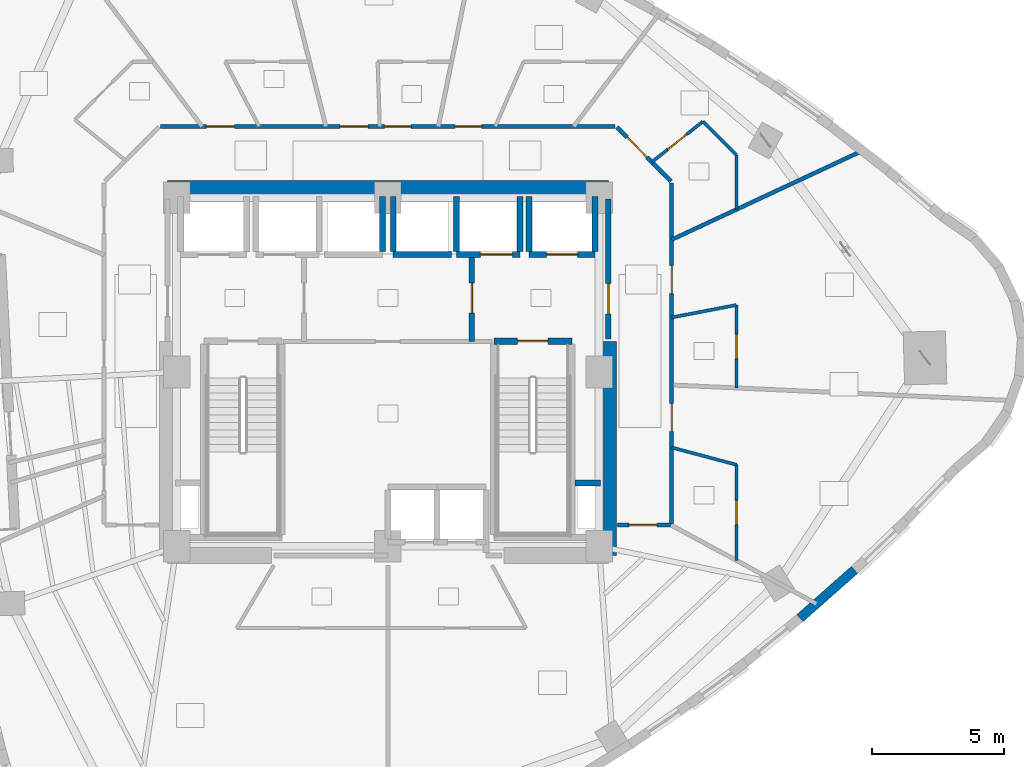
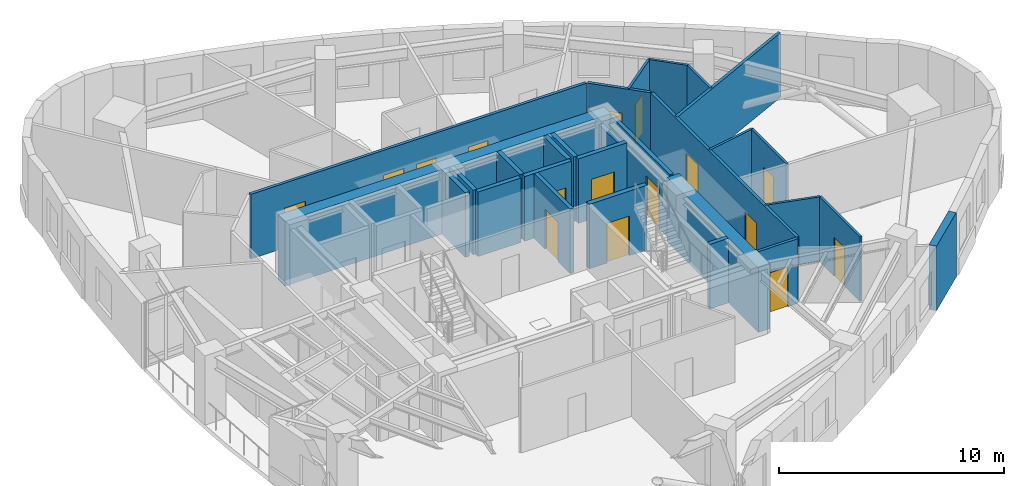
# One storey, part 8 of 13: 28 walls, 16 doors, 16 openings.
"""IFC4 building model written with IfcOpenShell, lengths in metres."""

from ifc_helpers import new_model, si_unit, direction, frame, frame_2d, origin, place, context, subcontext, project, spatial, rectangle, extrude, material, layer, layer_set, type_object, element, fill, save


model = new_model("IFC4")

# Units and contexts
model_context = context("Model", 3, precision=1e-05, world=origin(), true_north=direction((0.0, 1.0)))
body_context = subcontext(model_context, "Body", "Model", "MODEL_VIEW")
ifc_project = project(units=[si_unit("LENGTHUNIT", "METRE"), si_unit("AREAUNIT", "SQUARE_METRE"), si_unit("VOLUMEUNIT", "CUBIC_METRE"), si_unit("PLANEANGLEUNIT", "RADIAN"), si_unit("MASSUNIT", "GRAM", prefix="KILO")], contexts=[model_context])

# Site, building, storey
site_placement = place(None, origin())
site = spatial("IfcSite", under=ifc_project, at=site_placement, CompositionType="ELEMENT")
building_placement = place(site_placement, origin())
building = spatial("IfcBuilding", under=site, at=building_placement, Name="Ndelora Gate Hotel", CompositionType="ELEMENT")
storey_placement = place(building_placement, frame((0.0, 0.0, 134.75)))
storey = spatial("IfcBuildingStorey", under=building, at=storey_placement, Name="L33", CompositionType="ELEMENT", Elevation=134.75)

# Walls
ifc_material_1 = material(Name="Clay Brick Masonry", Category="masonry")
ifc_layer_1 = layer(ifc_material_1, 0.360107421875)
ifc_layer_set_1 = layer_set([ifc_layer_1], Name="Clay Brick Masonry")
wall_type_1 = type_object("IfcWallType", Name="WL-BRICK-360", PredefinedType="SOLIDWALL", material=ifc_layer_set_1)
wall_1_placement = place(storey_placement, frame((17.67578125, -7.498046875, 0.0), z_axis=(0.0, 0.0, 1.0), x_axis=(-0.749310700852, -0.662218599549, 0.0)))
element("IfcWall", 1, at=wall_1_placement, inside=storey, type_object=wall_type_1, Name="L33 Tower Brick Pier-and-Spandrel Wall TWR-36", PredefinedType="SOLIDWALL", context=body_context, shape_type="SweptSolid", body=[
    extrude(rectangle(XDim=2.75830078125, YDim=0.360107421875, at=frame_2d((1.379150390625, 0.0))), origin(), (0.0, 0.0, 1.0), 3.5),
])
ifc_material_2 = material(Name="Concrete C60/75", Category="concrete")
ifc_layer_2 = layer(ifc_material_2, 0.60009765625)
ifc_layer_set_2 = layer_set([ifc_layer_2], Name="Concrete C60/75")
wall_type_2 = type_object("IfcWallType", Name="WL-CORE-600", PredefinedType="SHEAR", material=ifc_layer_set_2)
wall_2_placement = place(storey_placement, frame((-8.35009765625, 6.949951171875, 0.0), z_axis=(0.0, 0.0, 1.0), x_axis=(1.0, 0.0, 0.0)))
element("IfcWall", 2, at=wall_2_placement, inside=storey, type_object=wall_type_2, Name="L33 Core Shear Wall N", PredefinedType="SHEAR", context=body_context, shape_type="SweptSolid", body=[
    extrude(rectangle(XDim=16.7001953125, YDim=0.60009765625, at=frame_2d((8.35009765625, 0.0))), origin(), (0.0, 0.0, 1.0), 3.5),
])
wall_3_placement = place(storey_placement, frame((8.35009765625, -6.949951171875, 0.0), z_axis=(0.0, 0.0, 1.0), x_axis=(0.0, 1.0, 0.0)))
element("IfcWall", 3, at=wall_3_placement, inside=storey, type_object=wall_type_2, Name="L33 Core Shear Wall E", PredefinedType="SHEAR", context=body_context, shape_type="SweptSolid", body=[
    extrude(rectangle(XDim=8.099853515625, YDim=0.60009765625, at=frame_2d((4.0498046875, 0.0))), origin(), (0.0, 0.0, 1.0), 3.5),
])

# Wall, opening, door
ifc_material_3 = material(Name="Concrete C40/50", Category="concrete")
ifc_layer_3 = layer(ifc_material_3, 0.199951171875)
ifc_layer_set_3 = layer_set([ifc_layer_3], Name="Concrete C40/50")
wall_type_3 = type_object("IfcWallType", Name="WL-FIRE-200", PredefinedType="PARTITIONING", material=ifc_layer_set_3)
wall_4_placement = place(storey_placement, frame((3.179931640625, 1.14990234375, 0.0), z_axis=(0.0, 0.0, 1.0), x_axis=(0.0, 1.0, 0.0)))
wall_4 = element("IfcWall", 4, at=wall_4_placement, inside=storey, type_object=wall_type_3, Name="L33 Interior Wall IW-2", PredefinedType="PARTITIONING", context=body_context, shape_type="SweptSolid", body=[
    extrude(rectangle(XDim=3.300048828125, YDim=0.199951171875, at=frame_2d((1.64990234375, 0.0))), origin(), (0.0, 0.0, 1.0), 3.5),
])
opening_1_placement = place(wall_4_placement, frame((1.080078125, 0.0, 0.0)))
opening_1 = element("IfcOpeningElement", 5, at=opening_1_placement, cuts=wall_4, Name="Opening FD1", PredefinedType="OPENING", context=body_context, shape_type="SweptSolid", body=[
    extrude(rectangle(XDim=1.14990234375, YDim=2.14990234375, at=frame_2d((0.574951171875, 1.074951171875))), frame((0.0, 0.10986328125, 0.0), z_axis=(0.0, -1.0, 0.0), x_axis=(1.0, 0.0, 0.0)), (0.0, 0.0, 1.0), 0.219970703125),
])
ifc_material_4 = material(Name="Fire-Rated Timber-Veneer Steel Core", Category="steel")
door_type_1 = type_object("IfcDoorType", Name="DR-FD60", OperationType="SINGLE_SWING_LEFT", PredefinedType="DOOR", material=ifc_material_4)
door_1_placement = place(opening_1_placement, origin())
door_1 = element("IfcDoor", 6, at=door_1_placement, inside=storey, type_object=door_type_1, Name="L33 Firefighting Lobby East Door", OperationType="SINGLE_SWING_LEFT", OverallHeight=2.14990234375, OverallWidth=1.14990234375, PredefinedType="DOOR", context=body_context, shape_type="SweptSolid", body=[
    extrude(rectangle(XDim=1.14990234375, YDim=2.14990234375, at=frame_2d((0.574951171875, 1.074951171875))), frame((0.0, 0.02490234375, 0.0), z_axis=(0.0, -1.0, 0.0), x_axis=(1.0, 0.0, 0.0)), (0.0, 0.0, 1.0), 0.050048828125),
])
fill(opening_1, door_1)

wall_5_placement = place(storey_placement, frame((8.35009765625, 1.25, 0.0), z_axis=(0.0, 0.0, 1.0), x_axis=(0.0, 1.0, 0.0)))
wall_5 = element("IfcWall", 7, at=wall_5_placement, inside=storey, type_object=wall_type_3, Name="L33 Interior Wall IW-2", PredefinedType="PARTITIONING", context=body_context, shape_type="SweptSolid", body=[
    extrude(rectangle(XDim=5.300048828125, YDim=0.199951171875, at=frame_2d((2.64990234375, 0.0))), origin(), (0.0, 0.0, 1.0), 3.5),
])
opening_2_placement = place(wall_5_placement, frame((0.949951171875, 0.0, 0.0)))
opening_2 = element("IfcOpeningElement", 8, at=opening_2_placement, cuts=wall_5, Name="Opening FD1", PredefinedType="OPENING", context=body_context, shape_type="SweptSolid", body=[
    extrude(rectangle(XDim=1.14990234375, YDim=2.14990234375, at=frame_2d((0.574951171875, 1.074951171875))), frame((0.0, 0.10986328125, 0.0), z_axis=(0.0, -1.0, 0.0), x_axis=(1.0, 0.0, 0.0)), (0.0, 0.0, 1.0), 0.219970703125),
])
door_2_placement = place(opening_2_placement, origin())
door_2 = element("IfcDoor", 9, at=door_2_placement, inside=storey, type_object=door_type_1, Name="L33 Firefighting Lobby East Corridor Door", OperationType="SINGLE_SWING_RIGHT", OverallHeight=2.14990234375, OverallWidth=1.14990234375, PredefinedType="DOOR", context=body_context, shape_type="SweptSolid", body=[
    extrude(rectangle(XDim=1.14990234375, YDim=2.14990234375, at=frame_2d((0.574951171875, 1.074951171875))), frame((0.0, 0.02490234375, 0.0), z_axis=(0.0, -1.0, 0.0), x_axis=(1.0, 0.0, 0.0)), (0.0, 0.0, 1.0), 0.050048828125),
])
fill(opening_2, door_2)

ifc_material_5 = material(Name="Fire-Rated Gypsum Stud Partition", Category="gypsum")
ifc_layer_4 = layer(ifc_material_5, 0.14990234375)
ifc_layer_set_4 = layer_set([ifc_layer_4], Name="Fire-Rated Gypsum Stud Partition")
wall_type_4 = type_object("IfcWallType", Name="WL-PART-150", PredefinedType="PARTITIONING", material=ifc_layer_set_4)
wall_6_placement = place(storey_placement, frame((10.7099609375, -5.800048828125, 0.0), z_axis=(0.0, 0.0, 1.0), x_axis=(-1.0, 0.0, 0.0)))
wall_6 = element("IfcWall", 10, at=wall_6_placement, inside=storey, type_object=wall_type_4, Name="L33 Interior Wall IW-5", PredefinedType="PARTITIONING", context=body_context, shape_type="SweptSolid", body=[
    extrude(rectangle(XDim=2.02001953125, YDim=0.14990234375, at=frame_2d((1.010009765625, 0.0))), origin(), (0.0, 0.0, 1.0), 3.5),
])
opening_3_placement = place(wall_6_placement, frame((0.52001953125, 0.0, 0.0)))
opening_3 = element("IfcOpeningElement", 11, at=opening_3_placement, cuts=wall_6, Name="Opening D07", PredefinedType="OPENING", context=body_context, shape_type="SweptSolid", body=[
    extrude(rectangle(XDim=1.06005859375, YDim=2.14990234375, at=frame_2d((0.530029296875, 1.074951171875))), frame((0.0, 0.0849609375, 0.0), z_axis=(0.0, -1.0, 0.0), x_axis=(1.0, 0.0, 0.0)), (0.0, 0.0, 1.0), 0.169921875),
])
ifc_material_6 = material(Name="Diplomatic Suite Acoustic Entrance Door", Category="wood")
door_type_2 = type_object("IfcDoorType", Name="DR-SUITE-1060", OperationType="SINGLE_SWING_LEFT", PredefinedType="DOOR", material=ifc_material_6)
door_3_placement = place(opening_3_placement, origin())
door_3 = element("IfcDoor", 12, at=door_3_placement, inside=storey, type_object=door_type_2, Name="L33 Club King Corner Suite 3602 Entrance Door", OperationType="SINGLE_SWING_LEFT", OverallHeight=2.14990234375, OverallWidth=1.06005859375, PredefinedType="DOOR", context=body_context, shape_type="SweptSolid", body=[
    extrude(rectangle(XDim=1.06005859375, YDim=2.14990234375, at=frame_2d((0.530029296875, 1.074951171875))), frame((0.0, 0.02490234375, 0.0), z_axis=(0.0, -1.0, 0.0), x_axis=(1.0, 0.0, 0.0)), (0.0, 0.0, 1.0), 0.050048828125),
])
fill(opening_3, door_3)

# Wall, openings, doors
wall_7_placement = place(storey_placement, frame((10.75, 7.159912109375, 0.0), z_axis=(0.0, 0.0, 1.0), x_axis=(0.0, -1.0, 0.0)))
wall_7 = element("IfcWall", 13, at=wall_7_placement, inside=storey, type_object=wall_type_4, Name="L33 Interior Wall IW-5", PredefinedType="PARTITIONING", context=body_context, shape_type="SweptSolid", body=[
    extrude(rectangle(XDim=12.919921875, YDim=0.14990234375, at=frame_2d((6.4599609375, 0.0))), origin(), (0.0, 0.0, 1.0), 3.5),
])
opening_4_placement = place(wall_7_placement, frame((8.358642578125, 0.0, 0.0)))
opening_4 = element("IfcOpeningElement", 14, at=opening_4_placement, cuts=wall_7, Name="Opening D07", PredefinedType="OPENING", context=body_context, shape_type="SweptSolid", body=[
    extrude(rectangle(XDim=1.06005859375, YDim=2.14990234375, at=frame_2d((0.530029296875, 1.074951171875))), frame((0.0, 0.0849609375, 0.0), z_axis=(0.0, -1.0, 0.0), x_axis=(1.0, 0.0, 0.0)), (0.0, 0.0, 1.0), 0.169921875),
])
opening_5_placement = place(wall_7_placement, frame((3.13232421875, 0.0, 0.0)))
opening_5 = element("IfcOpeningElement", 15, at=opening_5_placement, cuts=wall_7, Name="Opening D07", PredefinedType="OPENING", context=body_context, shape_type="SweptSolid", body=[
    extrude(rectangle(XDim=1.06005859375, YDim=2.14990234375, at=frame_2d((0.530029296875, 1.074951171875))), frame((0.0, 0.0849609375, 0.0), z_axis=(0.0, -1.0, 0.0), x_axis=(1.0, 0.0, 0.0)), (0.0, 0.0, 1.0), 0.169921875),
])
door_4_placement = place(opening_4_placement, origin())
door_4 = element("IfcDoor", 16, at=door_4_placement, inside=storey, type_object=door_type_2, Name="L33 Corner Junior Suite 3603 Entrance Door", OperationType="SINGLE_SWING_LEFT", OverallHeight=2.14990234375, OverallWidth=1.06005859375, PredefinedType="DOOR", context=body_context, shape_type="SweptSolid", body=[
    extrude(rectangle(XDim=1.06005859375, YDim=2.14990234375, at=frame_2d((0.530029296875, 1.074951171875))), frame((0.0, 0.02490234375, 0.0), z_axis=(0.0, -1.0, 0.0), x_axis=(1.0, 0.0, 0.0)), (0.0, 0.0, 1.0), 0.050048828125),
])
fill(opening_4, door_4)
door_5_placement = place(opening_5_placement, origin())
door_5 = element("IfcDoor", 17, at=door_5_placement, inside=storey, type_object=door_type_2, Name="L33 Club Superior Junior Suite 3604 Entrance Door", OperationType="SINGLE_SWING_RIGHT", OverallHeight=2.14990234375, OverallWidth=1.06005859375, PredefinedType="DOOR", context=body_context, shape_type="SweptSolid", body=[
    extrude(rectangle(XDim=1.06005859375, YDim=2.14990234375, at=frame_2d((0.530029296875, 1.074951171875))), frame((0.0, 0.02490234375, 0.0), z_axis=(0.0, -1.0, 0.0), x_axis=(1.0, 0.0, 0.0)), (0.0, 0.0, 1.0), 0.050048828125),
])
fill(opening_5, door_5)

# Wall, opening, door
wall_8_placement = place(storey_placement, frame((8.67822265625, 9.271728515625, 0.0), z_axis=(0.0, 0.0, 1.0), x_axis=(0.707106781187, -0.707106781187, 0.0)))
wall_8 = element("IfcWall", 18, at=wall_8_placement, inside=storey, type_object=wall_type_4, Name="L33 Interior Wall IW-5", PredefinedType="PARTITIONING", context=body_context, shape_type="SweptSolid", body=[
    extrude(rectangle(XDim=2.889892578125, YDim=0.14990234375, at=frame_2d((1.44482421875, 0.0))), origin(), (0.0, 0.0, 1.0), 3.5),
])
opening_6_placement = place(wall_8_placement, frame((0.543212890625, 0.0, 0.0)))
opening_6 = element("IfcOpeningElement", 19, at=opening_6_placement, cuts=wall_8, Name="Opening D07", PredefinedType="OPENING", context=body_context, shape_type="SweptSolid", body=[
    extrude(rectangle(XDim=1.06005859375, YDim=2.14990234375, at=frame_2d((0.530029296875, 1.074951171875))), frame((0.0, 0.0849609375, 0.0), z_axis=(0.0, -1.0, 0.0), x_axis=(1.0, 0.0, 0.0)), (0.0, 0.0, 1.0), 0.169921875),
])
door_6_placement = place(opening_6_placement, origin())
door_6 = element("IfcDoor", 20, at=door_6_placement, inside=storey, type_object=door_type_2, Name="L33 South Club Suite 3605 Entrance Door", OperationType="SINGLE_SWING_RIGHT", OverallHeight=2.14990234375, OverallWidth=1.06005859375, PredefinedType="DOOR", context=body_context, shape_type="SweptSolid", body=[
    extrude(rectangle(XDim=1.06005859375, YDim=2.14990234375, at=frame_2d((0.530029296875, 1.074951171875))), frame((0.0, 0.02490234375, 0.0), z_axis=(0.0, -1.0, 0.0), x_axis=(1.0, 0.0, 0.0)), (0.0, 0.0, 1.0), 0.050048828125),
])
fill(opening_6, door_6)

# Wall, openings, doors
wall_9_placement = place(storey_placement, frame((-8.610107421875, 9.300048828125, 0.0), z_axis=(0.0, 0.0, 1.0), x_axis=(1.0, 0.0, 0.0)))
wall_9 = element("IfcWall", 21, at=wall_9_placement, inside=storey, type_object=wall_type_4, Name="L33 Interior Wall IW-5", PredefinedType="PARTITIONING", context=body_context, shape_type="SweptSolid", body=[
    extrude(rectangle(XDim=17.22021484375, YDim=0.14990234375, at=frame_2d((8.610107421875, 0.0))), origin(), (0.0, 0.0, 1.0), 3.5),
])
opening_7_placement = place(wall_9_placement, frame((11.156005859375, 0.0, 0.0)))
opening_7 = element("IfcOpeningElement", 22, at=opening_7_placement, cuts=wall_9, Name="Opening D01", PredefinedType="OPENING", context=body_context, shape_type="SweptSolid", body=[
    extrude(rectangle(XDim=1.0, YDim=2.14990234375, at=frame_2d((0.5, 1.074951171875))), frame((0.0, 0.0849609375, 0.0), z_axis=(0.0, -1.0, 0.0), x_axis=(1.0, 0.0, 0.0)), (0.0, 0.0, 1.0), 0.169921875),
])
opening_8_placement = place(wall_9_placement, frame((6.799072265625, 0.0, 0.0)))
opening_8 = element("IfcOpeningElement", 23, at=opening_8_placement, cuts=wall_9, Name="Opening D07", PredefinedType="OPENING", context=body_context, shape_type="SweptSolid", body=[
    extrude(rectangle(XDim=1.06005859375, YDim=2.14990234375, at=frame_2d((0.530029296875, 1.074951171875))), frame((0.0, 0.0849609375, 0.0), z_axis=(0.0, -1.0, 0.0), x_axis=(1.0, 0.0, 0.0)), (0.0, 0.0, 1.0), 0.169921875),
])
opening_9_placement = place(wall_9_placement, frame((1.7373046875, 0.0, 0.0)))
opening_9 = element("IfcOpeningElement", 24, at=opening_9_placement, cuts=wall_9, Name="Opening D07", PredefinedType="OPENING", context=body_context, shape_type="SweptSolid", body=[
    extrude(rectangle(XDim=1.06005859375, YDim=2.14990234375, at=frame_2d((0.530029296875, 1.074951171875))), frame((0.0, 0.0849609375, 0.0), z_axis=(0.0, -1.0, 0.0), x_axis=(1.0, 0.0, 0.0)), (0.0, 0.0, 1.0), 0.169921875),
])
opening_10_placement = place(wall_9_placement, frame((8.47998046875, 0.0, 0.0)))
opening_10 = element("IfcOpeningElement", 25, at=opening_10_placement, cuts=wall_9, Name="Opening D01", PredefinedType="OPENING", context=body_context, shape_type="SweptSolid", body=[
    extrude(rectangle(XDim=1.0, YDim=2.14990234375, at=frame_2d((0.5, 1.074951171875))), frame((0.0, 0.0849609375, 0.0), z_axis=(0.0, -1.0, 0.0), x_axis=(1.0, 0.0, 0.0)), (0.0, 0.0, 1.0), 0.169921875),
])
ifc_material_7 = material(Name="Acoustic Hardwood Guest Entrance Door", Category="wood")
door_type_3 = type_object("IfcDoorType", Name="DR-COR-1000", OperationType="SINGLE_SWING_LEFT", PredefinedType="DOOR", material=ifc_material_7)
door_7_placement = place(opening_7_placement, origin())
door_7 = element("IfcDoor", 26, at=door_7_placement, inside=storey, type_object=door_type_3, Name="L33 Club King Guest Room 3606 Entrance Door", OperationType="SINGLE_SWING_LEFT", OverallHeight=2.14990234375, OverallWidth=1.0, PredefinedType="DOOR", context=body_context, shape_type="SweptSolid", body=[
    extrude(rectangle(XDim=1.0, YDim=2.14990234375, at=frame_2d((0.5, 1.074951171875))), frame((0.0, 0.02490234375, 0.0), z_axis=(0.0, -1.0, 0.0), x_axis=(1.0, 0.0, 0.0)), (0.0, 0.0, 1.0), 0.050048828125),
])
fill(opening_7, door_7)
door_8_placement = place(opening_10_placement, origin())
door_8 = element("IfcDoor", 27, at=door_8_placement, inside=storey, type_object=door_type_3, Name="L33 Housekeeping and Linen Room Entrance Door", OperationType="SINGLE_SWING_LEFT", OverallHeight=2.14990234375, OverallWidth=1.0, PredefinedType="DOOR", context=body_context, shape_type="SweptSolid", body=[
    extrude(rectangle(XDim=1.0, YDim=2.14990234375, at=frame_2d((0.5, 1.074951171875))), frame((0.0, 0.02490234375, 0.0), z_axis=(0.0, -1.0, 0.0), x_axis=(1.0, 0.0, 0.0)), (0.0, 0.0, 1.0), 0.050048828125),
])
fill(opening_10, door_8)
door_9_placement = place(opening_8_placement, origin())
door_9 = element("IfcDoor", 28, at=door_9_placement, inside=storey, type_object=door_type_2, Name="L33 Corner Club Suite 3607 Entrance Door", OperationType="SINGLE_SWING_RIGHT", OverallHeight=2.14990234375, OverallWidth=1.06005859375, PredefinedType="DOOR", context=body_context, shape_type="SweptSolid", body=[
    extrude(rectangle(XDim=1.06005859375, YDim=2.14990234375, at=frame_2d((0.530029296875, 1.074951171875))), frame((0.0, 0.02490234375, 0.0), z_axis=(0.0, -1.0, 0.0), x_axis=(1.0, 0.0, 0.0)), (0.0, 0.0, 1.0), 0.050048828125),
])
fill(opening_8, door_9)
door_10_placement = place(opening_9_placement, origin())
door_10 = element("IfcDoor", 29, at=door_10_placement, inside=storey, type_object=door_type_2, Name="L33 Club Twin Junior Suite 3608 Entrance Door", OperationType="SINGLE_SWING_LEFT", OverallHeight=2.14990234375, OverallWidth=1.06005859375, PredefinedType="DOOR", context=body_context, shape_type="SweptSolid", body=[
    extrude(rectangle(XDim=1.06005859375, YDim=2.14990234375, at=frame_2d((0.530029296875, 1.074951171875))), frame((0.0, 0.02490234375, 0.0), z_axis=(0.0, -1.0, 0.0), x_axis=(1.0, 0.0, 0.0)), (0.0, 0.0, 1.0), 0.050048828125),
])
fill(opening_9, door_10)

# Walls
wall_10_placement = place(storey_placement, frame((10.75, 5.01220703125, 0.0), z_axis=(0.0, 0.0, 1.0), x_axis=(0.90633944919, 0.422550355393, 0.0)))
element("IfcWall", 30, at=wall_10_placement, inside=storey, type_object=wall_type_4, Name="L33 Interior Wall IW-5", PredefinedType="PARTITIONING", context=body_context, shape_type="SweptSolid", body=[
    extrude(rectangle(XDim=7.977294921875, YDim=0.14990234375, at=frame_2d((3.98876953125, 0.0))), origin(), (0.0, 0.0, 1.0), 3.5),
])
ifc_layer_5 = layer(ifc_material_3, 0.219970703125)
ifc_layer_set_5 = layer_set([ifc_layer_5], Name="Concrete C40/50")
wall_type_5 = type_object("IfcWallType", Name="WL-SHAFT-220", PredefinedType="PARTITIONING", material=ifc_layer_set_5)
wall_11_placement = place(storey_placement, frame((7.090087890625, -4.199951171875, 0.0), z_axis=(0.0, 0.0, 1.0), x_axis=(1.0, 0.0, 0.0)))
element("IfcWall", 31, at=wall_11_placement, inside=storey, type_object=wall_type_5, Name="L33 Interior Wall IW-1", PredefinedType="PARTITIONING", context=body_context, shape_type="SweptSolid", body=[
    extrude(rectangle(XDim=0.9599609375, YDim=0.219970703125, at=frame_2d((0.47998046875, 0.0))), origin(), (0.0, 0.0, 1.0), 3.5),
])

# Wall, opening, door
wall_12_placement = place(storey_placement, frame((5.35009765625, 4.449951171875, 0.0), z_axis=(0.0, 0.0, 1.0), x_axis=(1.0, 0.0, 0.0)))
wall_12 = element("IfcWall", 32, at=wall_12_placement, inside=storey, type_object=wall_type_5, Name="L33 Interior Wall IW-1", PredefinedType="PARTITIONING", context=body_context, shape_type="SweptSolid", body=[
    extrude(rectangle(XDim=2.5, YDim=0.219970703125, at=frame_2d((1.25, 0.0))), origin(), (0.0, 0.0, 1.0), 3.5),
])
opening_11_placement = place(wall_12_placement, frame((0.659912109375, 0.0, 0.0)))
opening_11 = element("IfcOpeningElement", 33, at=opening_11_placement, cuts=wall_12, Name="Opening LD5", PredefinedType="OPENING", context=body_context, shape_type="SweptSolid", body=[
    extrude(rectangle(XDim=1.179931640625, YDim=2.14990234375, at=frame_2d((0.58984375, 1.074951171875))), frame((0.0, 0.1201171875, 0.0), z_axis=(0.0, -1.0, 0.0), x_axis=(1.0, 0.0, 0.0)), (0.0, 0.0, 1.0), 0.239990234375),
])
ifc_material_8 = material(Name="Firefighting Lift Stainless Sliding Landing Door", Category="metal")
door_type_4 = type_object("IfcDoorType", Name="DR-LD5", OperationType="DOUBLE_DOOR_SLIDING", PredefinedType="DOOR", material=ifc_material_8)
door_11_placement = place(opening_11_placement, origin())
door_11 = element("IfcDoor", 34, at=door_11_placement, inside=storey, type_object=door_type_4, Name="L33 Lift Landing Sliding Door FFL2", OperationType="DOUBLE_DOOR_SLIDING", OverallHeight=2.14990234375, OverallWidth=1.179931640625, PredefinedType="DOOR", context=body_context, shape_type="SweptSolid", body=[
    extrude(rectangle(XDim=1.179931640625, YDim=2.14990234375, at=frame_2d((0.58984375, 1.074951171875))), frame((0.0, 0.02490234375, 0.0), z_axis=(0.0, -1.0, 0.0), x_axis=(1.0, 0.0, 0.0)), (0.0, 0.0, 1.0), 0.050048828125),
])
fill(opening_11, door_11)

# Walls
wall_13_placement = place(storey_placement, frame((5.35009765625, 4.570068359375, 0.0), z_axis=(0.0, 0.0, 1.0), x_axis=(0.0, 1.0, 0.0)))
element("IfcWall", 35, at=wall_13_placement, inside=storey, type_object=wall_type_5, Name="L33 Interior Wall IW-1", PredefinedType="PARTITIONING", context=body_context, shape_type="SweptSolid", body=[
    extrude(rectangle(XDim=2.079833984375, YDim=0.219970703125, at=frame_2d((1.0400390625, 0.0))), origin(), (0.0, 0.0, 1.0), 3.5),
])
wall_14_placement = place(storey_placement, frame((7.85009765625, 4.570068359375, 0.0), z_axis=(0.0, 0.0, 1.0), x_axis=(0.0, 1.0, 0.0)))
element("IfcWall", 36, at=wall_14_placement, inside=storey, type_object=wall_type_5, Name="L33 Interior Wall IW-1", PredefinedType="PARTITIONING", context=body_context, shape_type="SweptSolid", body=[
    extrude(rectangle(XDim=2.079833984375, YDim=0.219970703125, at=frame_2d((1.0400390625, 0.0))), origin(), (0.0, 0.0, 1.0), 3.1201171875),
])

# Wall, opening, door
wall_15_placement = place(storey_placement, frame((2.60009765625, 4.449951171875, 0.0), z_axis=(0.0, 0.0, 1.0), x_axis=(1.0, 0.0, 0.0)))
wall_15 = element("IfcWall", 37, at=wall_15_placement, inside=storey, type_object=wall_type_5, Name="L33 Interior Wall IW-1", PredefinedType="PARTITIONING", context=body_context, shape_type="SweptSolid", body=[
    extrude(rectangle(XDim=2.39990234375, YDim=0.219970703125, at=frame_2d((1.199951171875, 0.0))), origin(), (0.0, 0.0, 1.0), 3.5),
])
opening_12_placement = place(wall_15_placement, frame((0.89990234375, 0.0, 0.0)))
opening_12 = element("IfcOpeningElement", 38, at=opening_12_placement, cuts=wall_15, Name="Opening LD6", PredefinedType="OPENING", context=body_context, shape_type="SweptSolid", body=[
    extrude(rectangle(XDim=1.219970703125, YDim=2.14990234375, at=frame_2d((0.60986328125, 1.074951171875))), frame((0.0, 0.1201171875, 0.0), z_axis=(0.0, -1.0, 0.0), x_axis=(1.0, 0.0, 0.0)), (0.0, 0.0, 1.0), 0.239990234375),
])
ifc_material_9 = material(Name="Heavy-Duty Service Lift Sliding Landing Door", Category="wood")
door_type_5 = type_object("IfcDoorType", Name="DR-LD6", OperationType="DOUBLE_DOOR_SLIDING", PredefinedType="DOOR", material=ifc_material_9)
door_12_placement = place(opening_12_placement, origin())
door_12 = element("IfcDoor", 39, at=door_12_placement, inside=storey, type_object=door_type_5, Name="L33 Lift Landing Sliding Door SVL2", OperationType="DOUBLE_DOOR_SLIDING", OverallHeight=2.14990234375, OverallWidth=1.219970703125, PredefinedType="DOOR", context=body_context, shape_type="SweptSolid", body=[
    extrude(rectangle(XDim=1.219970703125, YDim=2.14990234375, at=frame_2d((0.60986328125, 1.074951171875))), frame((0.0, 0.02490234375, 0.0), z_axis=(0.0, -1.0, 0.0), x_axis=(1.0, 0.0, 0.0)), (0.0, 0.0, 1.0), 0.050048828125),
])
fill(opening_12, door_12)

# Walls
for number, where, z_axis, x_axis, name in (
    (40, (2.60009765625, 4.570068359375, 0.0), (0.0, 0.0, 1.0), (0.0, 1.0, 0.0), "L33 Interior Wall IW-1"),
    (41, (5.0, 4.570068359375, 0.0), (0.0, 0.0, 1.0), (0.0, 1.0, 0.0), "L33 Interior Wall IW-1"),
    (42, (-0.199951171875, 4.570068359375, 0.0), (0.0, 0.0, 1.0), (0.0, 1.0, 0.0), "L33 Interior Wall IW-1"),
):
    element("IfcWall", number, at=place(storey_placement, frame(where, z_axis=z_axis, x_axis=x_axis)), inside=storey, type_object=wall_type_5, Name=name, PredefinedType="PARTITIONING", context=body_context, shape_type="SweptSolid", body=[
        extrude(rectangle(XDim=2.079833984375, YDim=0.219970703125, at=frame_2d((1.0400390625, 0.0))), origin(), (0.0, 0.0, 1.0), 3.5),
    ])
wall_16_placement = place(storey_placement, frame((0.199951171875, 4.449951171875, 0.0), z_axis=(0.0, 0.0, 1.0), x_axis=(1.0, 0.0, 0.0)))
element("IfcWall", 43, at=wall_16_placement, inside=storey, type_object=wall_type_5, Name="L33 Interior Wall IW-1", PredefinedType="PARTITIONING", context=body_context, shape_type="SweptSolid", body=[
    extrude(rectangle(XDim=2.199951171875, YDim=0.219970703125, at=frame_2d((1.10009765625, 0.0))), origin(), (0.0, 0.0, 1.0), 3.5),
])
wall_17_placement = place(storey_placement, frame((0.199951171875, 4.570068359375, 0.0), z_axis=(0.0, 0.0, 1.0), x_axis=(0.0, 1.0, 0.0)))
element("IfcWall", 44, at=wall_17_placement, inside=storey, type_object=wall_type_5, Name="L33 Interior Wall IW-1", PredefinedType="PARTITIONING", context=body_context, shape_type="SweptSolid", body=[
    extrude(rectangle(XDim=2.079833984375, YDim=0.219970703125, at=frame_2d((1.0400390625, 0.0))), origin(), (0.0, 0.0, 1.0), 3.5),
])

# Wall, opening, door
ifc_material_10 = material(Name="Concrete C50/60", Category="concrete")
ifc_layer_6 = layer(ifc_material_10, 0.239990234375)
ifc_layer_set_6 = layer_set([ifc_layer_6], Name="Concrete C50/60")
wall_type_6 = type_object("IfcWallType", Name="WL-STAIR-240", PredefinedType="SHEAR", material=ifc_layer_set_6)
wall_18_placement = place(storey_placement, frame((4.010009765625, 1.169921875, 0.0), z_axis=(0.0, 0.0, 1.0), x_axis=(1.0, 0.0, 0.0)))
wall_18 = element("IfcWall", 45, at=wall_18_placement, inside=storey, type_object=wall_type_6, Name="L33 Stair Core Shear Wall SW-ST", PredefinedType="SHEAR", context=body_context, shape_type="SweptSolid", body=[
    extrude(rectangle(XDim=2.9599609375, YDim=0.239990234375, at=frame_2d((1.47998046875, 0.0))), origin(), (0.0, 0.0, 1.0), 3.5),
])
opening_13_placement = place(wall_18_placement, frame((0.89990234375, 0.0, 0.0)))
opening_13 = element("IfcOpeningElement", 46, at=opening_13_placement, cuts=wall_18, Name="Opening FD1", PredefinedType="OPENING", context=body_context, shape_type="SweptSolid", body=[
    extrude(rectangle(XDim=1.14990234375, YDim=2.14990234375, at=frame_2d((0.574951171875, 1.074951171875))), frame((0.0, 0.1298828125, 0.0), z_axis=(0.0, -1.0, 0.0), x_axis=(1.0, 0.0, 0.0)), (0.0, 0.0, 1.0), 0.260009765625),
])
door_13_placement = place(opening_13_placement, origin())
door_13 = element("IfcDoor", 47, at=door_13_placement, inside=storey, type_object=door_type_1, Name="L33 Exit Stair ST5 Door", OperationType="SINGLE_SWING_RIGHT", OverallHeight=2.14990234375, OverallWidth=1.14990234375, PredefinedType="DOOR", context=body_context, shape_type="SweptSolid", body=[
    extrude(rectangle(XDim=1.14990234375, YDim=2.14990234375, at=frame_2d((0.574951171875, 1.074951171875))), frame((0.0, 0.02490234375, 0.0), z_axis=(0.0, -1.0, 0.0), x_axis=(1.0, 0.0, 0.0)), (0.0, 0.0, 1.0), 0.050048828125),
])
fill(opening_13, door_13)

# Wall
ifc_material_11 = material(Name="Moisture-Resistant Bathroom Tile Partition", Category="gypsum")
ifc_layer_7 = layer(ifc_material_11, 0.1201171875)
ifc_layer_set_7 = layer_set([ifc_layer_7], Name="Moisture-Resistant Bathroom Tile Partition")
wall_type_7 = type_object("IfcWallType", Name="WL-WET-120", PredefinedType="PARTITIONING", material=ifc_layer_set_7)
wall_19_placement = place(storey_placement, frame((10.75, -2.8603515625, 0.0), z_axis=(0.0, 0.0, 1.0), x_axis=(0.966378640851, -0.257123166026, 0.0)))
element("IfcWall", 48, at=wall_19_placement, inside=storey, type_object=wall_type_7, Name="L33 Interior Wall IW-7", PredefinedType="PARTITIONING", context=body_context, shape_type="SweptSolid", body=[
    extrude(rectangle(XDim=2.53515625, YDim=0.1201171875, at=frame_2d((1.267578125, 0.0))), origin(), (0.0, 0.0, 1.0), 3.5),
])

# Wall, opening, door
wall_20_placement = place(storey_placement, frame((13.199951171875, -3.51220703125, 0.0), z_axis=(0.0, 0.0, 1.0), x_axis=(0.0, -1.0, 0.0)))
wall_20 = element("IfcWall", 49, at=wall_20_placement, inside=storey, type_object=wall_type_7, Name="L33 Interior Wall IW-7", PredefinedType="PARTITIONING", context=body_context, shape_type="SweptSolid", body=[
    extrude(rectangle(XDim=3.625, YDim=0.1201171875, at=frame_2d((1.8125, 0.0))), origin(), (0.0, 0.0, 1.0), 3.5),
])
opening_14_placement = place(wall_20_placement, frame((1.3525390625, 0.0, 0.0)))
opening_14 = element("IfcOpeningElement", 50, at=opening_14_placement, cuts=wall_20, Name="Opening D03", PredefinedType="OPENING", context=body_context, shape_type="SweptSolid", body=[
    extrude(rectangle(XDim=0.919921875, YDim=2.10009765625, at=frame_2d((0.4599609375, 1.050048828125))), frame((0.0, 0.070068359375, 0.0), z_axis=(0.0, -1.0, 0.0), x_axis=(1.0, 0.0, 0.0)), (0.0, 0.0, 1.0), 0.14013671875),
])
ifc_material_12 = material(Name="Moisture-Resistant Hardwood En-Suite Door", Category="wood")
door_type_6 = type_object("IfcDoorType", Name="DR-BATH-920", OperationType="SINGLE_SWING_LEFT", PredefinedType="DOOR", material=ifc_material_12)
door_14_placement = place(opening_14_placement, origin())
door_14 = element("IfcDoor", 51, at=door_14_placement, inside=storey, type_object=door_type_6, Name="L33 En-suite Bathroom 3603 Door", OperationType="SINGLE_SWING_RIGHT", OverallHeight=2.10009765625, OverallWidth=0.919921875, PredefinedType="DOOR", context=body_context, shape_type="SweptSolid", body=[
    extrude(rectangle(XDim=0.919921875, YDim=2.10009765625, at=frame_2d((0.4599609375, 1.050048828125))), frame((0.0, 0.02490234375, 0.0), z_axis=(0.0, -1.0, 0.0), x_axis=(1.0, 0.0, 0.0)), (0.0, 0.0, 1.0), 0.050048828125),
])
fill(opening_14, door_14)

# Wall
wall_21_placement = place(storey_placement, frame((13.199951171875, 2.53662109375, 0.0), z_axis=(0.0, 0.0, 1.0), x_axis=(-0.982039238769, -0.188676796447, 0.0)))
element("IfcWall", 52, at=wall_21_placement, inside=storey, type_object=wall_type_7, Name="L33 Interior Wall IW-7", PredefinedType="PARTITIONING", context=body_context, shape_type="SweptSolid", body=[
    extrude(rectangle(XDim=2.494873046875, YDim=0.1201171875, at=frame_2d((1.24755859375, 0.0))), origin(), (0.0, 0.0, 1.0), 3.5),
])

# Wall, opening, door
wall_22_placement = place(storey_placement, frame((13.199951171875, 2.53662109375, 0.0), z_axis=(0.0, 0.0, 1.0), x_axis=(0.0, -1.0, 0.0)))
wall_22 = element("IfcWall", 53, at=wall_22_placement, inside=storey, type_object=wall_type_7, Name="L33 Interior Wall IW-7", PredefinedType="PARTITIONING", context=body_context, shape_type="SweptSolid", body=[
    extrude(rectangle(XDim=3.14111328125, YDim=0.1201171875, at=frame_2d((1.570556640625, 0.0))), origin(), (0.0, 0.0, 1.0), 3.5),
])
opening_15_placement = place(wall_22_placement, frame((1.110595703125, 0.0, 0.0)))
opening_15 = element("IfcOpeningElement", 54, at=opening_15_placement, cuts=wall_22, Name="Opening D03", PredefinedType="OPENING", context=body_context, shape_type="SweptSolid", body=[
    extrude(rectangle(XDim=0.919921875, YDim=2.10009765625, at=frame_2d((0.4599609375, 1.050048828125))), frame((0.0, 0.070068359375, 0.0), z_axis=(0.0, -1.0, 0.0), x_axis=(1.0, 0.0, 0.0)), (0.0, 0.0, 1.0), 0.14013671875),
])
door_15_placement = place(opening_15_placement, origin())
door_15 = element("IfcDoor", 55, at=door_15_placement, inside=storey, type_object=door_type_6, Name="L33 En-suite Bathroom 3604 Door", OperationType="SINGLE_SWING_LEFT", OverallHeight=2.10009765625, OverallWidth=0.919921875, PredefinedType="DOOR", context=body_context, shape_type="SweptSolid", body=[
    extrude(rectangle(XDim=0.919921875, YDim=2.10009765625, at=frame_2d((0.4599609375, 1.050048828125))), frame((0.0, 0.02490234375, 0.0), z_axis=(0.0, -1.0, 0.0), x_axis=(1.0, 0.0, 0.0)), (0.0, 0.0, 1.0), 0.050048828125),
])
fill(opening_15, door_15)

wall_23_placement = place(storey_placement, frame((9.998046875, 7.951904296875, 0.0), z_axis=(0.0, 0.0, 1.0), x_axis=(0.782652575374, 0.622458790813, 0.0)))
wall_23 = element("IfcWall", 56, at=wall_23_placement, inside=storey, type_object=wall_type_7, Name="L33 Interior Wall IW-7", PredefinedType="PARTITIONING", context=body_context, shape_type="SweptSolid", body=[
    extrude(rectangle(XDim=2.4658203125, YDim=0.1201171875, at=frame_2d((1.23291015625, 0.0))), origin(), (0.0, 0.0, 1.0), 3.5),
])
opening_16_placement = place(wall_23_placement, frame((0.77294921875, 0.0, 0.0)))
opening_16 = element("IfcOpeningElement", 57, at=opening_16_placement, cuts=wall_23, Name="Opening D03", PredefinedType="OPENING", context=body_context, shape_type="SweptSolid", body=[
    extrude(rectangle(XDim=0.919921875, YDim=2.10009765625, at=frame_2d((0.4599609375, 1.050048828125))), frame((0.0, 0.070068359375, 0.0), z_axis=(0.0, -1.0, 0.0), x_axis=(1.0, 0.0, 0.0)), (0.0, 0.0, 1.0), 0.14013671875),
])
door_16_placement = place(opening_16_placement, origin())
door_16 = element("IfcDoor", 58, at=door_16_placement, inside=storey, type_object=door_type_6, Name="L33 En-suite Bathroom 3605 Door", OperationType="SINGLE_SWING_RIGHT", OverallHeight=2.10009765625, OverallWidth=0.919921875, PredefinedType="DOOR", context=body_context, shape_type="SweptSolid", body=[
    extrude(rectangle(XDim=0.919921875, YDim=2.10009765625, at=frame_2d((0.4599609375, 1.050048828125))), frame((0.0, 0.02490234375, 0.0), z_axis=(0.0, -1.0, 0.0), x_axis=(1.0, 0.0, 0.0)), (0.0, 0.0, 1.0), 0.050048828125),
])
fill(opening_16, door_16)

# Walls
wall_24_placement = place(storey_placement, frame((11.927978515625, 9.48681640625, 0.0), z_axis=(0.0, 0.0, 1.0), x_axis=(0.707106781187, -0.707106781187, 0.0)))
element("IfcWall", 59, at=wall_24_placement, inside=storey, type_object=wall_type_7, Name="L33 Interior Wall IW-7", PredefinedType="PARTITIONING", context=body_context, shape_type="SweptSolid", body=[
    extrude(rectangle(XDim=1.798828125, YDim=0.1201171875, at=frame_2d((0.8994140625, 0.0))), origin(), (0.0, 0.0, 1.0), 3.5),
])
wall_25_placement = place(storey_placement, frame((13.199951171875, 6.154296875, 0.0), z_axis=(0.0, 0.0, 1.0), x_axis=(0.0, 1.0, 0.0)))
element("IfcWall", 60, at=wall_25_placement, inside=storey, type_object=wall_type_7, Name="L33 Interior Wall IW-7", PredefinedType="PARTITIONING", context=body_context, shape_type="SweptSolid", body=[
    extrude(rectangle(XDim=2.060546875, YDim=0.1201171875, at=frame_2d((1.0302734375, 0.0))), origin(), (0.0, 0.0, 1.0), 3.5),
])

save(model, "model.ifc")
